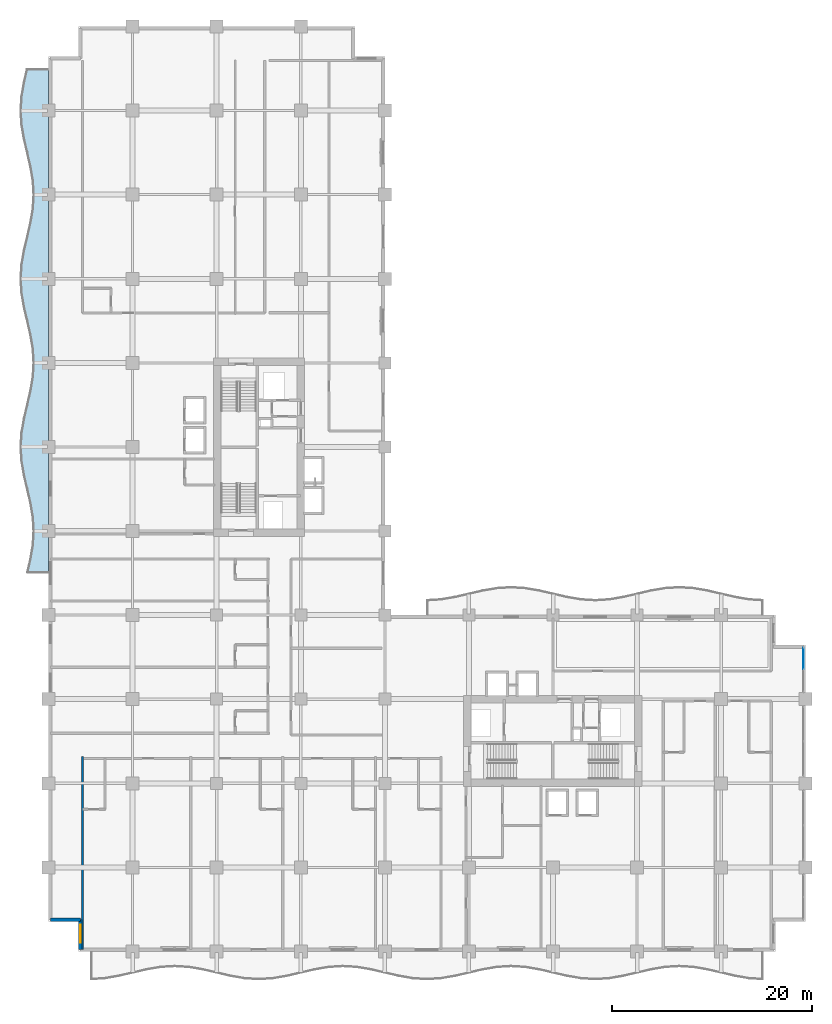
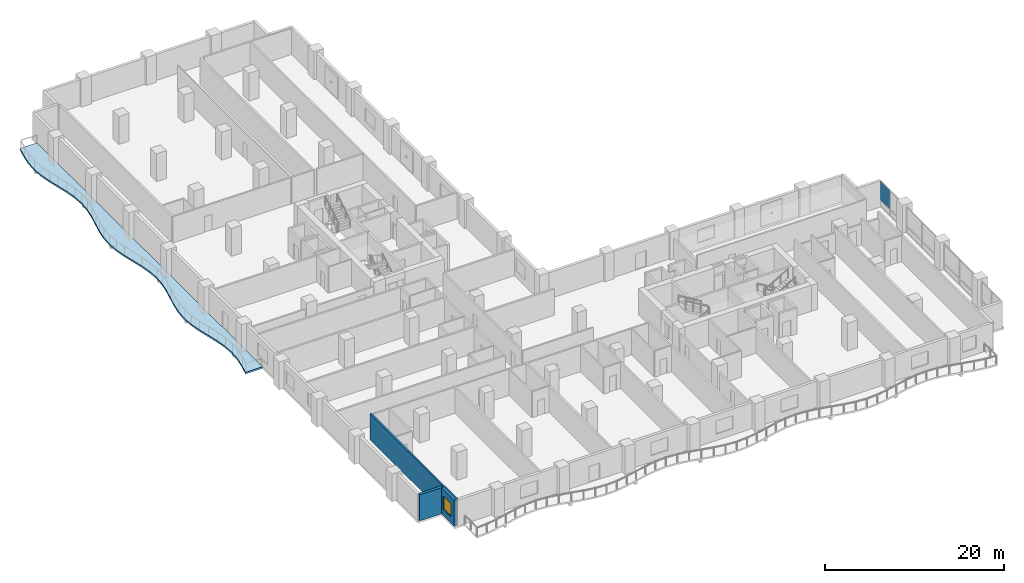
# One storey, part 8 of 23: 3 walls, 1 plate, 1 slab, 1 window, 1 opening, 1 element without a shape of its own.
"""IFC4 building model written with IfcOpenShell, lengths in metres."""

from ifc_helpers import new_model, si_unit, direction, frame, frame_2d, origin, origin_2d, place, context, subcontext, project, spatial, polyline, rectangle, outline, extrude, material, layer, layer_set, type_object, element, fill, aggregate, save


model = new_model("IFC4")

# Units and contexts
model_context = context("Model", 3, precision=1e-05, world=origin(), true_north=direction((0.0, 1.0)))
body_context = subcontext(model_context, "Body", "Model", "MODEL_VIEW")
ifc_project = project(units=[si_unit("LENGTHUNIT", "METRE"), si_unit("AREAUNIT", "SQUARE_METRE"), si_unit("VOLUMEUNIT", "CUBIC_METRE"), si_unit("PLANEANGLEUNIT", "RADIAN"), si_unit("MASSUNIT", "GRAM", prefix="KILO")], contexts=[model_context])

# Site, building, storey
site_placement = place(None, origin())
site = spatial("IfcSite", under=ifc_project, at=site_placement, CompositionType="ELEMENT")
building_placement = place(site_placement, origin())
building = spatial("IfcBuilding", under=site, at=building_placement, Name="Koriwani Terraces Tower", CompositionType="ELEMENT")
storey_placement = place(building_placement, frame((0.0, 0.0, 119.0)))
storey = spatial("IfcBuildingStorey", under=building, at=storey_placement, Name="L28", CompositionType="ELEMENT", Elevation=119.0)

# Curtain wall, plate
ifc_material_1 = material(Name="Anodised Bronze Aluminium", Category="aluminium")
ifc_layer_1 = layer(ifc_material_1, 0.179931640625, Name="Anodised Bronze Aluminium")
ifc_layer_set_1 = layer_set([ifc_layer_1], Name="Anodised Bronze Aluminium")
curtain_wall_type = type_object("IfcCurtainWallType", Name="CW_HOTEL_ZONE2", PredefinedType="NOTDEFINED", material=ifc_layer_set_1)
curtain_wall_placement = place(storey_placement, origin())
curtain_wall = element("IfcCurtainWall", 1, at=curtain_wall_placement, inside=storey, type_object=curtain_wall_type, Name="L28 Unitised Curtain Wall (E_TIP) Bay 1", PredefinedType="NOTDEFINED")
ifc_material_2 = material(Name="Tempered Laminated Low-E Glass", Category="glass")
ifc_layer_2 = layer(ifc_material_2, 0.028076171875, Name="Tempered Laminated Low-E Glass")
ifc_layer_set_2 = layer_set([ifc_layer_2], Name="Tempered Laminated Low-E Glass")
plate_type = type_object("IfcPlateType", Name="CW_PANEL_VISION_28", PredefinedType="CURTAIN_PANEL", material=ifc_layer_set_2)
plate_placement = place(storey_placement, frame((75.425048828125, 29.277587890625, 0.9326171875), z_axis=(0.0, 0.0, 1.0), x_axis=(0.0, -1.0, 0.0)))
plate = element("IfcPlate", 2, at=plate_placement, type_object=plate_type, Name="CW-Z2 panel 1.2", PredefinedType="CURTAIN_PANEL", context=body_context, shape_type="SweptSolid", body=[
    extrude(rectangle(XDim=2.14501953125, YDim=0.028076171875, at=origin_2d()), origin(), (0.0, 0.0, 1.0), 2.552490234375),
])
aggregate(curtain_wall, [plate])

# Slab
ifc_material_3 = material(Name="Concrete C40/50", Category="concrete")
ifc_layer_3 = layer(ifc_material_3, 0.219970703125, Name="Concrete C40/50")
ifc_layer_set_3 = layer_set([ifc_layer_3], Name="Concrete C40/50")
slab_type = type_object("IfcSlabType", Name="SLAB_BALCONY_220", PredefinedType="FLOOR", material=ifc_layer_set_3)
slab_placement = place(storey_placement, frame((0.0, 0.0, -0.219970703125)))
element("IfcSlab", 3, at=slab_placement, inside=storey, type_object=slab_type, Name="L28 Quilted Circular-Arc Balcony (W)", PredefinedType="FLOOR", context=body_context, shape_type="SweptSolid", body=[
    extrude(outline(polyline([(0.0, 37.800048828125), (0.0, 39.199951171875), (0.0, 40.60009765625), (0.0, 42.0), (0.0, 43.39990234375), (0.0, 44.800048828125), (0.0, 46.199951171875), (0.0, 47.60009765625), (0.0, 49.0), (0.0, 50.39990234375), (0.0, 51.800048828125), (0.0, 53.199951171875), (0.0, 54.60009765625), (0.0, 56.0), (0.0, 57.39990234375), (0.0, 58.800048828125), (0.0, 60.199951171875), (0.0, 61.60009765625), (0.0, 63.0), (0.0, 64.39990234375), (0.0, 65.800048828125), (0.0, 67.199951171875), (0.0, 68.60009765625), (0.0, 70.0), (0.0, 71.39990234375), (0.0, 72.800048828125), (0.0, 74.199951171875), (0.0, 75.60009765625), (0.0, 77.0), (0.0, 78.39990234375), (0.0, 79.800048828125), (0.0, 81.199951171875), (0.0, 82.60009765625), (0.0, 84.0), (0.0, 85.39990234375), (0.0, 86.800048828125), (0.0, 88.199951171875), (-2.199951171875, 88.199951171875), (-2.52490234375, 86.800048828125), (-2.762939453125, 85.39990234375), (-2.85009765625, 84.0), (-2.762939453125, 82.60009765625), (-2.52490234375, 81.199951171875), (-2.199951171875, 79.800048828125), (-1.875, 78.39990234375), (-1.63720703125, 77.0), (-1.550048828125, 75.60009765625), (-1.63720703125, 74.199951171875), (-1.875, 72.800048828125), (-2.199951171875, 71.39990234375), (-2.52490234375, 70.0), (-2.762939453125, 68.60009765625), (-2.85009765625, 67.199951171875), (-2.762939453125, 65.800048828125), (-2.52490234375, 64.39990234375), (-2.199951171875, 63.0), (-1.875, 61.60009765625), (-1.63720703125, 60.199951171875), (-1.550048828125, 58.800048828125), (-1.63720703125, 57.39990234375), (-1.875, 56.0), (-2.199951171875, 54.60009765625), (-2.52490234375, 53.199951171875), (-2.762939453125, 51.800048828125), (-2.85009765625, 50.39990234375), (-2.762939453125, 49.0), (-2.52490234375, 47.60009765625), (-2.199951171875, 46.199951171875), (-1.875, 44.800048828125), (-1.63720703125, 43.39990234375), (-1.550048828125, 42.0), (-1.63720703125, 40.60009765625), (-1.875, 39.199951171875), (-2.199951171875, 37.800048828125), (0.0, 37.800048828125)])), origin(), (0.0, 0.0, 1.0), 0.219970703125),
])

# Wall
ifc_material_4 = material(Name="Autoclaved Cellular Concrete Blockwork", Category="masonry")
ifc_layer_4 = layer(ifc_material_4, 0.219970703125, Name="Autoclaved Cellular Concrete Blockwork")
ifc_layer_set_4 = layer_set([ifc_layer_4], Name="Autoclaved Cellular Concrete Blockwork")
wall_type_1 = type_object("IfcWallType", Name="WALL_DEMISING_220", PredefinedType="PARTITIONING", material=ifc_layer_set_4)
wall_1_placement = place(storey_placement, frame((3.39990234375, 0.199951171875, 0.0), z_axis=(0.0, 0.0, 1.0), x_axis=(0.0, 1.0, 0.0)))
element("IfcWall", 4, at=wall_1_placement, inside=storey, type_object=wall_type_1, Name="L28 Interior Wall WDEM-L28-SW-0", PredefinedType="PARTITIONING", context=body_context, shape_type="SweptSolid", body=[
    extrude(rectangle(XDim=19.280029296875, YDim=0.219970703125, at=frame_2d((9.64013671875, 0.0))), origin(), (0.0, 0.0, 1.0), 3.550048828125),
])

# Wall, opening, window
ifc_material_5 = material(Name="Concrete C50/60", Category="concrete")
ifc_layer_5 = layer(ifc_material_5, 0.35009765625, Name="Concrete C50/60")
ifc_layer_set_5 = layer_set([ifc_layer_5], Name="Concrete C50/60")
wall_type_2 = type_object("IfcWallType", Name="WALL_EXT_BRUTALIST_350", PredefinedType="STANDARD", material=ifc_layer_set_5)
wall_2_placement = place(storey_placement, frame((3.175048828125, 0.175048828125, 0.0), z_axis=(0.0, 0.0, 1.0), x_axis=(0.0, 1.0, 0.0)))
wall_2 = element("IfcWall", 5, at=wall_2_placement, inside=storey, type_object=wall_type_2, Name="L28 Fair-Faced Brutalist Exterior Wall (N0)", PredefinedType="STANDARD", context=body_context, shape_type="SweptSolid", body=[
    extrude(rectangle(XDim=3.0, YDim=0.35009765625, at=frame_2d((1.5, 0.0))), origin(), (0.0, 0.0, 1.0), 3.550048828125),
])
opening_placement = place(wall_2_placement, frame((0.677490234375, 0.0, 0.85009765625)))
opening = element("IfcOpeningElement", 6, at=opening_placement, cuts=wall_2, Name="Opening W-04", PredefinedType="OPENING", context=body_context, shape_type="SweptSolid", body=[
    extrude(rectangle(XDim=1.800048828125, YDim=1.800048828125, at=frame_2d((0.89990234375, 0.89990234375))), frame((0.0, 0.18505859375, 0.0), z_axis=(0.0, -1.0, 0.0), x_axis=(1.0, 0.0, 0.0)), (0.0, 0.0, 1.0), 0.3701171875),
])
window_type = type_object("IfcWindowType", Name="WIN_RES_BED_1800X1800", PartitioningType="DOUBLE_PANEL_VERTICAL", PredefinedType="WINDOW", material=ifc_material_2)
window_placement = place(opening_placement, origin())
window = element("IfcWindow", 7, at=window_placement, inside=storey, type_object=window_type, Name="L28 Exterior Window (N0-R34)", OverallHeight=1.800048828125, OverallWidth=1.800048828125, PartitioningType="SINGLE_PANEL", PredefinedType="WINDOW", context=body_context, shape_type="SweptSolid", body=[
    extrude(rectangle(XDim=1.800048828125, YDim=1.800048828125, at=frame_2d((0.89990234375, 0.89990234375))), frame((0.0, 0.030029296875, 0.0), z_axis=(0.0, -1.0, 0.0), x_axis=(1.0, 0.0, 0.0)), (0.0, 0.0, 1.0), 0.06005859375),
])
fill(opening, window)

# Wall
wall_3_placement = place(storey_placement, frame((3.175048828125, 3.175048828125, 0.0), z_axis=(0.0, 0.0, 1.0), x_axis=(-1.0, 0.0, 0.0)))
element("IfcWall", 8, at=wall_3_placement, inside=storey, type_object=wall_type_2, Name="L28 Fair-Faced Brutalist Exterior Wall (N1)", PredefinedType="STANDARD", context=body_context, shape_type="SweptSolid", body=[
    extrude(rectangle(XDim=3.0, YDim=0.35009765625, at=frame_2d((1.5, 0.0))), origin(), (0.0, 0.0, 1.0), 3.550048828125),
])

save(model, "model.ifc")
